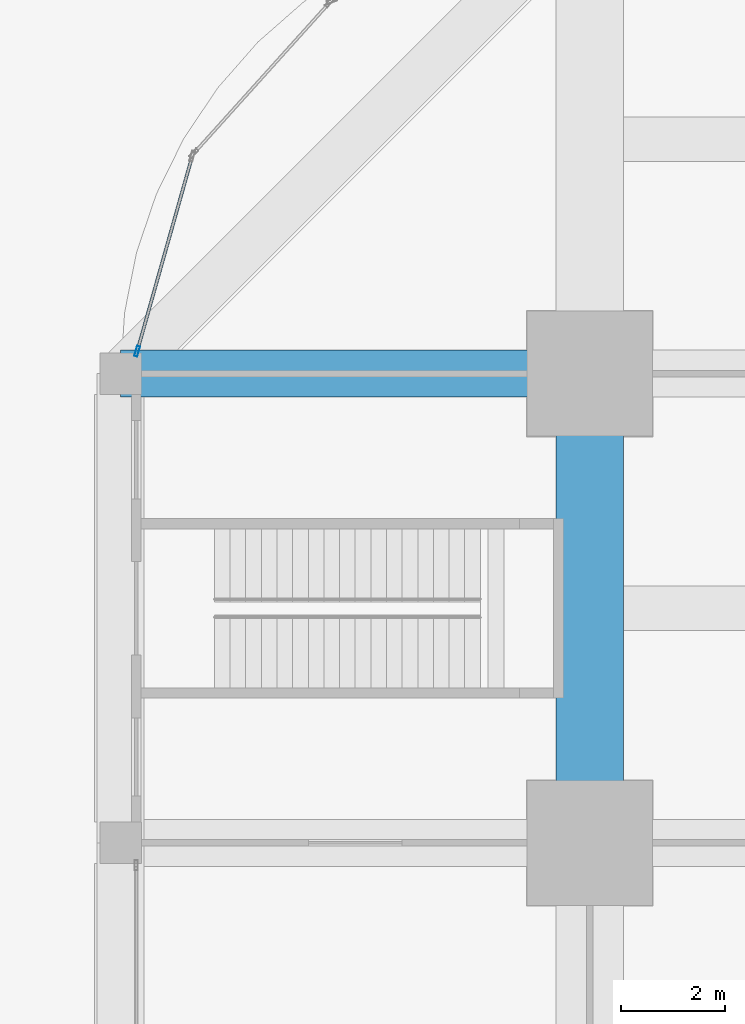
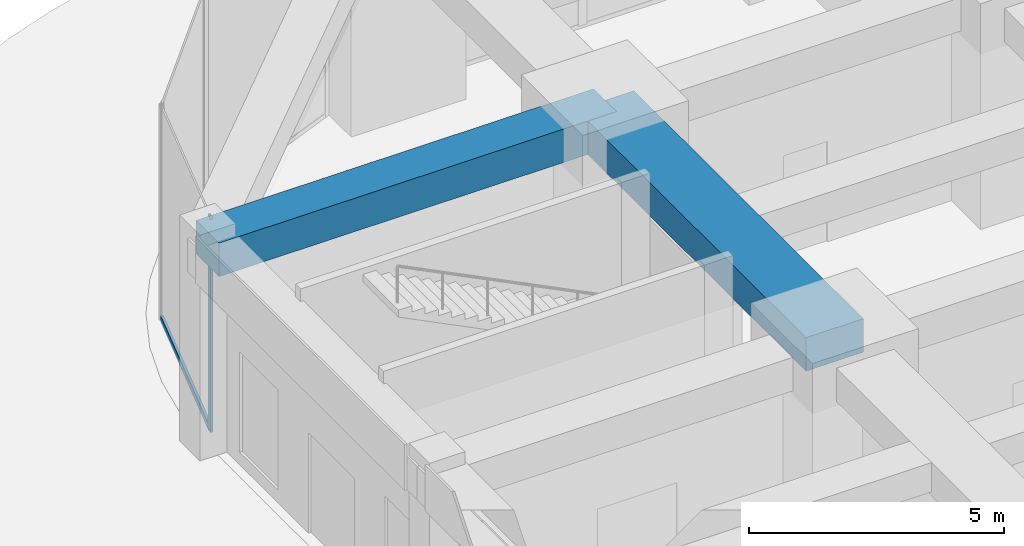
# One storey, part 19 of 56: 2 beams, 2 members, 1 element without a shape of its own.
"""IFC4 building model written with IfcOpenShell, lengths in metres."""

from ifc_helpers import new_model, si_unit, direction, frame, origin, origin_2d, place, context, subcontext, project, spatial, rectangle, hollow_rectangle, extrude, material, material_profile, profile_set, type_object, element, aggregate, save


model = new_model("IFC4")

# Units and contexts
model_context = context("Model", 3, precision=1e-05, world=origin(), true_north=direction((0.0, 1.0)))
body_context = subcontext(model_context, "Body", "Model", "MODEL_VIEW")
ifc_project = project(units=[si_unit("LENGTHUNIT", "METRE"), si_unit("AREAUNIT", "SQUARE_METRE"), si_unit("VOLUMEUNIT", "CUBIC_METRE"), si_unit("PLANEANGLEUNIT", "RADIAN"), si_unit("MASSUNIT", "GRAM", prefix="KILO")], contexts=[model_context])

# Site, building, storey
site_placement = place(None, origin())
site = spatial("IfcSite", under=ifc_project, at=site_placement, CompositionType="ELEMENT")
building_placement = place(site_placement, origin())
building = spatial("IfcBuilding", under=site, at=building_placement, Name="Zorevar Civic Tower", CompositionType="ELEMENT")
storey_placement = place(building_placement, origin())
storey = spatial("IfcBuildingStorey", under=building, at=storey_placement, Name="L00", CompositionType="ELEMENT", Elevation=0.0)

# Beams
ifc_material_1 = material(Name="Concrete C50/60", Category="concrete")
ifc_material_profile_1 = material_profile(ifc_material_1, rectangle(XDim=1.300048828125, YDim=0.800048828125, at=origin_2d()), Name="RC 1300x800")
ifc_profile_set_1 = profile_set([ifc_material_profile_1], Name="Concrete C50/60")
beam_type_1 = type_object("IfcBeamType", Name="Beam RC 1300x800", PredefinedType="BEAM", material=ifc_profile_set_1)
beam_1_placement = place(storey_placement, frame((0.0, 36.0, 4.699951171875), z_axis=(0.0, 1.0, 0.0), x_axis=(-1.0, 0.0, 0.0)))
element("IfcBeam", 1, at=beam_1_placement, inside=storey, type_object=beam_type_1, Name="Girder L01", PredefinedType="BEAM", context=body_context, shape_type="SweptSolid", body=[
    extrude(rectangle(XDim=1.300048828125, YDim=0.800048828125, at=origin_2d()), origin(), (0.0, 0.0, 1.0), 9.0),
])
ifc_material_2 = material(Name="Concrete C50/60", Category="concrete")
ifc_material_profile_2 = material_profile(ifc_material_2, rectangle(XDim=0.89990234375, YDim=0.800048828125, at=origin_2d()), Name="RC 900x800")
ifc_profile_set_2 = profile_set([ifc_material_profile_2], Name="Concrete C50/60")
beam_type_2 = type_object("IfcBeamType", Name="Beam RC 900x800", PredefinedType="BEAM", material=ifc_profile_set_2)
beam_2_placement = place(storey_placement, frame((-9.0, 45.0, 4.699951171875), z_axis=(1.0, 0.0, 0.0), x_axis=(0.0, 1.0, 0.0)))
element("IfcBeam", 2, at=beam_2_placement, inside=storey, type_object=beam_type_2, Name="Girder L01", PredefinedType="BEAM", context=body_context, shape_type="SweptSolid", body=[
    extrude(rectangle(XDim=0.89990234375, YDim=0.800048828125, at=origin_2d()), origin(), (0.0, 0.0, 1.0), 9.0),
])

# Curtain wall, members
ifc_material_3 = material(Name="Dark grey solar-control glass in black aluminium frame", Category="aluminium")
curtain_wall_type = type_object("IfcCurtainWallType", Name="Curtain wall CW1 podium", PredefinedType="NOTDEFINED", material=ifc_material_3)
curtain_wall_placement = place(storey_placement, origin())
curtain_wall = element("IfcCurtainWall", 3, at=curtain_wall_placement, inside=storey, type_object=curtain_wall_type, Name="CW1 L00", PredefinedType="NOTDEFINED")
ifc_material_4 = material(Name="Aluminium, black anodised", Category="aluminium")
ifc_material_profile_3 = material_profile(ifc_material_4, hollow_rectangle(XDim=0.06005859375, YDim=0.199951171875, WallThickness=0.00390625, at=origin_2d()), Name="AL 200x60x4")
ifc_profile_set_3 = profile_set([ifc_material_profile_3], Name="Aluminium, black anodised")
member_type_1 = type_object("IfcMemberType", Name="CW1 mullion AL 200x60x4", PredefinedType="MULLION", material=ifc_profile_set_3)
member_1_placement = place(storey_placement, frame((-8.6826171875, 45.428955078125, 0.0), z_axis=(0.0, 0.0, 1.0), x_axis=(0.962390725943, -0.271669082929, 0.0)))
member_1 = element("IfcMember", 4, at=member_1_placement, type_object=member_type_1, Name="CW1 mullion 2", PredefinedType="MULLION", context=body_context, shape_type="SweptSolid", body=[
    extrude(hollow_rectangle(XDim=0.06005859375, YDim=0.199951171875, WallThickness=0.00390625, at=origin_2d()), origin(), (0.0, 0.0, 1.0), 5.10009765625),
])
ifc_material_5 = material(Name="Aluminium, black anodised", Category="aluminium")
ifc_material_profile_4 = material_profile(ifc_material_5, hollow_rectangle(XDim=0.06005859375, YDim=0.14990234375, WallThickness=0.00390625, at=origin_2d()), Name="AL 150x60x4")
ifc_profile_set_4 = profile_set([ifc_material_profile_4], Name="Aluminium, black anodised")
member_type_2 = type_object("IfcMemberType", Name="CW1 transom AL 150x60x4", PredefinedType="USERDEFINED", material=ifc_profile_set_4)
member_2_placement = place(storey_placement, frame((-7.63330078125, 49.145751953125, 0.030029296875), z_axis=(-0.271656874729, -0.962394172059, 0.0), x_axis=(0.962394172059, -0.271656874729, 0.0)))
member_2 = element("IfcMember", 5, at=member_2_placement, type_object=member_type_2, Name="CW1 sill transom", ObjectType="TRANSOM", PredefinedType="USERDEFINED", context=body_context, shape_type="SweptSolid", body=[
    extrude(hollow_rectangle(XDim=0.06005859375, YDim=0.14990234375, WallThickness=0.00390625, at=origin_2d()), origin(), (0.0, 0.0, 1.0), 3.83203125),
])
aggregate(curtain_wall, [member_1, member_2])

save(model, "model.ifc")
